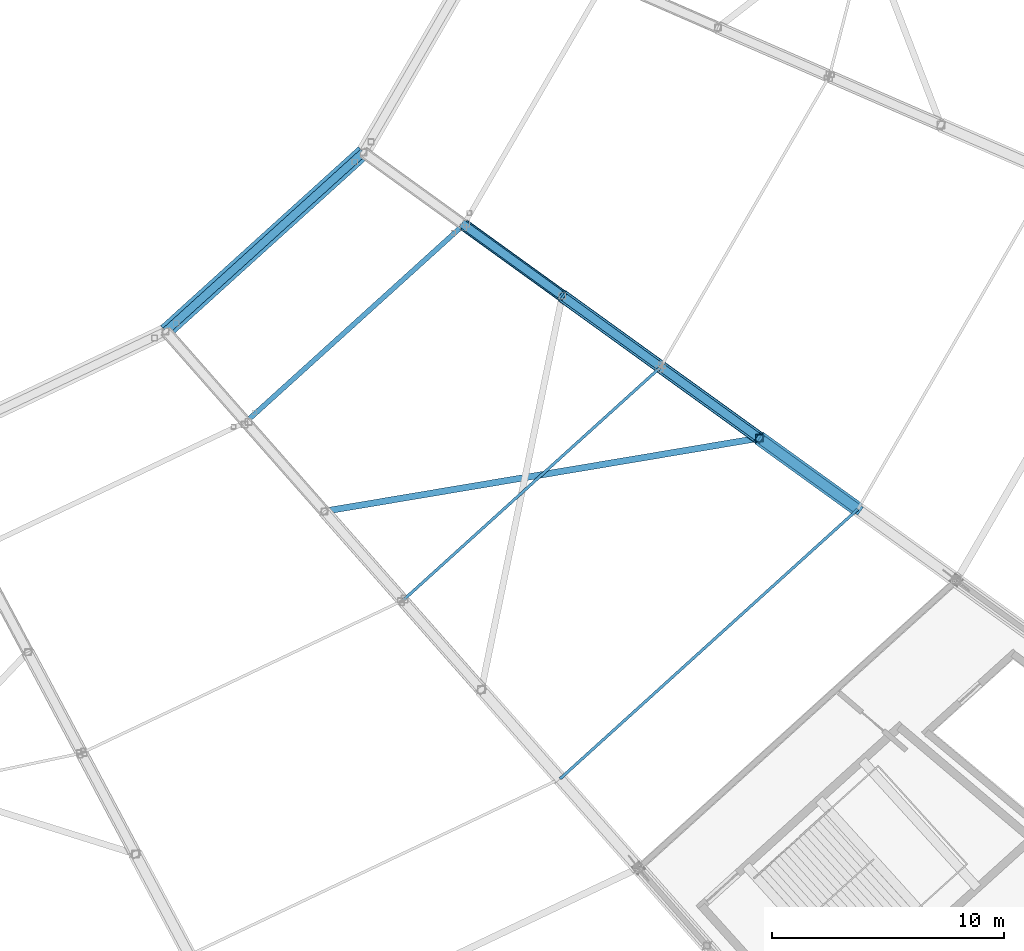
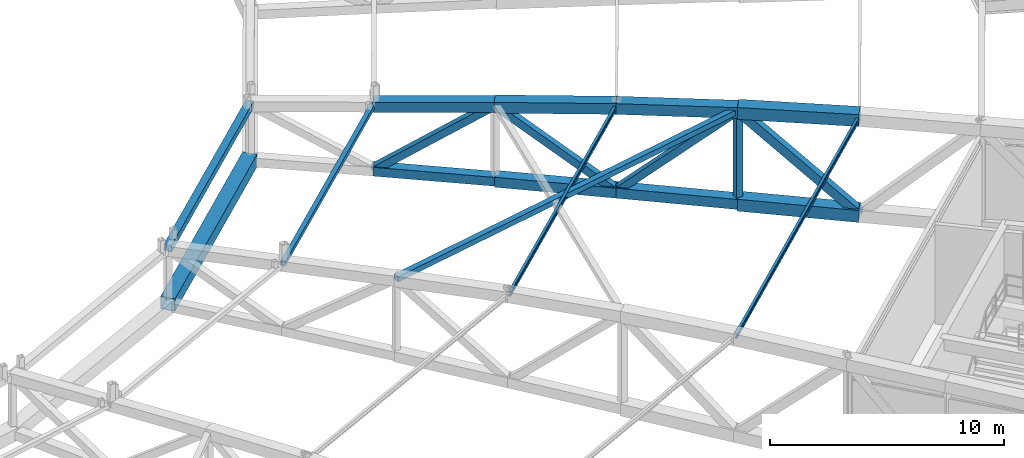
# One storey, part 51 of 162: 19 members.
"""IFC4 building model written with IfcOpenShell, lengths in metres."""

from ifc_helpers import new_model, si_unit, direction, frame, origin, origin_2d, place, context, subcontext, project, spatial, hollow_rectangle, i_section, extrude, material, material_profile, profile_set, type_object, element, save


model = new_model("IFC4")

# Units and contexts
model_context = context("Model", 3, precision=1e-05, world=origin(), true_north=direction((0.0, 1.0)))
body_context = subcontext(model_context, "Body", "Model", "MODEL_VIEW")
ifc_project = project(units=[si_unit("LENGTHUNIT", "METRE"), si_unit("AREAUNIT", "SQUARE_METRE"), si_unit("VOLUMEUNIT", "CUBIC_METRE"), si_unit("PLANEANGLEUNIT", "RADIAN"), si_unit("MASSUNIT", "GRAM", prefix="KILO")], contexts=[model_context])

# Site, building, storey
site_placement = place(None, origin())
site = spatial("IfcSite", under=ifc_project, at=site_placement, CompositionType="ELEMENT")
building_placement = place(site_placement, origin())
building = spatial("IfcBuilding", under=site, at=building_placement, Name="Kazemori Nagisa Stadium", CompositionType="ELEMENT")
storey_placement = place(building_placement, frame((0.0, 0.0, 36.719970703125)))
storey = spatial("IfcBuildingStorey", under=building, at=storey_placement, Name="RF", CompositionType="ELEMENT", Elevation=36.719970703125)

# Members
ifc_material_1 = material(Name="Steel STKR490", Category="steel")
ifc_material_profile_1 = material_profile(ifc_material_1, hollow_rectangle(XDim=0.280029296875, YDim=0.280029296875, WallThickness=0.010009765625, at=origin_2d()), Name="SHS-280x280x10")
ifc_profile_set_1 = profile_set([ifc_material_profile_1], Name="Steel STKR490")
member_type_1 = type_object("IfcMemberType", Name="Member_TB-SHS280", PredefinedType="BRACE", material=ifc_profile_set_1)
member_1_placement = place(storey_placement, frame((182.028564453125, 59.385986328125, 5.699951171875), z_axis=(-0.985974306151, -0.165840314947, -0.01875253445), x_axis=(0.165869482139, -0.986147714541, 0.0)))
element("IfcMember", 1, at=member_1_placement, inside=storey, type_object=member_type_1, Name="Roof space truss plan brace B25-2", PredefinedType="BRACE", context=body_context, shape_type="SweptSolid", body=[
    extrude(hollow_rectangle(XDim=0.280029296875, YDim=0.280029296875, WallThickness=0.010009765625, at=origin_2d()), origin(), (0.0, 0.0, 1.0), 18.981689453125),
])
ifc_material_profile_2 = material_profile(ifc_material_1, hollow_rectangle(XDim=0.360107421875, YDim=0.360107421875, WallThickness=0.013916015625, at=origin_2d()), Name="SHS-360x360x14")
ifc_profile_set_2 = profile_set([ifc_material_profile_2], Name="Steel STKR490")
member_type_2 = type_object("IfcMemberType", Name="Member_TB-SHS360", PredefinedType="BRACE", material=ifc_profile_set_2)
member_2_placement = place(storey_placement, frame((182.028564453125, 59.385986328125, 5.699951171875), z_axis=(-0.610155145397, 0.440484079738, -0.65854724511), x_axis=(-0.585330267791, -0.810794966442, 0.0)))
element("IfcMember", 2, at=member_2_placement, inside=storey, type_object=member_type_2, Name="Roof space truss diagonal RT-26-6", PredefinedType="BRACE", context=body_context, shape_type="SweptSolid", body=[
    extrude(hollow_rectangle(XDim=0.360107421875, YDim=0.360107421875, WallThickness=0.013916015625, at=origin_2d()), origin(), (0.0, 0.0, 1.0), 6.947021484375),
])
member_3_placement = place(storey_placement, frame((177.789794921875, 62.446044921875, 1.125), z_axis=(-0.637527526217, 0.46024478825, 0.61784576409), x_axis=(-0.585330267791, -0.810794966442, 0.0)))
element("IfcMember", 3, at=member_3_placement, inside=storey, type_object=member_type_2, Name="Roof space truss diagonal RT-26-7", PredefinedType="BRACE", context=body_context, shape_type="SweptSolid", body=[
    extrude(hollow_rectangle(XDim=0.360107421875, YDim=0.360107421875, WallThickness=0.013916015625, at=origin_2d()), origin(), (0.0, 0.0, 1.0), 6.648681640625),
])
member_4_placement = place(storey_placement, frame((173.551025390625, 65.506103515625, 5.23291015625), z_axis=(-0.658902408191, 0.475675773774, -0.582735081083), x_axis=(-0.585330267791, -0.810794966442, 0.0)))
element("IfcMember", 4, at=member_4_placement, inside=storey, type_object=member_type_2, Name="Roof space truss diagonal RT-26-8", PredefinedType="BRACE", context=body_context, shape_type="SweptSolid", body=[
    extrude(hollow_rectangle(XDim=0.360107421875, YDim=0.360107421875, WallThickness=0.013916015625, at=origin_2d()), origin(), (0.0, 0.0, 1.0), 6.43310546875),
])
ifc_material_profile_3 = material_profile(ifc_material_1, hollow_rectangle(XDim=0.419921875, YDim=0.419921875, WallThickness=0.01611328125, at=origin_2d()), Name="SHS-420x420x16")
ifc_profile_set_3 = profile_set([ifc_material_profile_3], Name="Steel STKR490")
member_type_3 = type_object("IfcMemberType", Name="Member_TB-SHS420", PredefinedType="BRACE", material=ifc_profile_set_3)
member_5_placement = place(storey_placement, frame((186.267333984375, 56.325927734375, 0.68212890625), z_axis=(-0.584951926834, 0.42228933596, 0.692461522417), x_axis=(-0.585330267791, -0.810794966442, 0.0)))
element("IfcMember", 5, at=member_5_placement, inside=storey, type_object=member_type_3, Name="Roof space truss diagonal RT-26-5", PredefinedType="BRACE", context=body_context, shape_type="SweptSolid", body=[
    extrude(hollow_rectangle(XDim=0.419921875, YDim=0.419921875, WallThickness=0.01611328125, at=origin_2d()), origin(), (0.0, 0.0, 1.0), 7.246337890625),
])
ifc_material_profile_4 = material_profile(ifc_material_1, hollow_rectangle(XDim=0.35009765625, YDim=0.35009765625, WallThickness=0.01611328125, at=origin_2d()), Name="SHS-350x350x16")
ifc_profile_set_4 = profile_set([ifc_material_profile_4], Name="Steel STKR490")
member_type_4 = type_object("IfcMemberType", Name="Member_TC-SHS350", PredefinedType="CHORD", material=ifc_profile_set_4)
member_6_placement = place(storey_placement, frame((156.489990234375, 63.9833984375, 4.60595703125), z_axis=(0.74132179778, 0.671098703579, -0.008277813225), x_axis=(-0.671121697338, 0.741347197582, 0.0)))
element("IfcMember", 6, at=member_6_placement, inside=storey, type_object=member_type_4, Name="Roof tension ring beam upper TR-25", PredefinedType="CHORD", context=body_context, shape_type="SweptSolid", body=[
    extrude(hollow_rectangle(XDim=0.35009765625, YDim=0.35009765625, WallThickness=0.01611328125, at=origin_2d()), origin(), (0.0, 0.0, 1.0), 11.472900390625),
])
ifc_material_profile_5 = material_profile(ifc_material_1, hollow_rectangle(XDim=0.4599609375, YDim=0.4599609375, WallThickness=0.01611328125, at=origin_2d()), Name="SHS-460x460x16")
ifc_profile_set_5 = profile_set([ifc_material_profile_5], Name="Steel STKR490")
member_type_5 = type_object("IfcMemberType", Name="Member_TC-SHS460", PredefinedType="CHORD", material=ifc_profile_set_5)
member_7_placement = place(storey_placement, frame((173.551025390625, 65.506103515625, 1.3271484375), z_axis=(-0.810429681299, 0.585066560615, 0.030014185294), x_axis=(-0.585330267791, -0.810794966442, 0.0)))
element("IfcMember", 7, at=member_7_placement, inside=storey, type_object=member_type_5, Name="Roof space truss bottom chord RT-26-8", PredefinedType="CHORD", context=body_context, shape_type="SweptSolid", body=[
    extrude(hollow_rectangle(XDim=0.4599609375, YDim=0.4599609375, WallThickness=0.01611328125, at=origin_2d()), origin(), (0.0, 0.0, 1.0), 5.230224609375),
])
ifc_material_profile_6 = material_profile(ifc_material_1, hollow_rectangle(XDim=0.52001953125, YDim=0.52001953125, WallThickness=0.01904296875, at=origin_2d()), Name="SHS-520x520x19")
ifc_profile_set_6 = profile_set([ifc_material_profile_6], Name="Steel STKR490")
member_type_6 = type_object("IfcMemberType", Name="Member_TC-SHS520", PredefinedType="CHORD", material=ifc_profile_set_6)
member_8_placement = place(storey_placement, frame((182.028564453125, 59.385986328125, 0.904052734375), z_axis=(-0.810071831283, 0.584808221017, 0.042225262488), x_axis=(-0.585330267791, -0.810794966442, 0.0)))
element("IfcMember", 8, at=member_8_placement, inside=storey, type_object=member_type_6, Name="Roof space truss bottom chord RT-26-6", PredefinedType="CHORD", context=body_context, shape_type="SweptSolid", body=[
    extrude(hollow_rectangle(XDim=0.52001953125, YDim=0.52001953125, WallThickness=0.01904296875, at=origin_2d()), origin(), (0.0, 0.0, 1.0), 5.232666015625),
])
member_9_placement = place(storey_placement, frame((177.789794921875, 62.446044921875, 1.125), z_axis=(-0.81018951734, 0.584893181105, 0.038638228335), x_axis=(-0.585330267791, -0.810794966442, 0.0)))
element("IfcMember", 9, at=member_9_placement, inside=storey, type_object=member_type_6, Name="Roof space truss bottom chord RT-26-7", PredefinedType="CHORD", context=body_context, shape_type="SweptSolid", body=[
    extrude(hollow_rectangle(XDim=0.52001953125, YDim=0.52001953125, WallThickness=0.01904296875, at=origin_2d()), origin(), (0.0, 0.0, 1.0), 5.23193359375),
])
member_10_placement = place(storey_placement, frame((173.551025390625, 65.506103515625, 5.23291015625), z_axis=(-0.808870527462, 0.583940974036, -0.068857887316), x_axis=(-0.585330267791, -0.810794966442, 0.0)))
element("IfcMember", 10, at=member_10_placement, inside=storey, type_object=member_type_6, Name="Roof space truss top chord RT-26-8", PredefinedType="CHORD", context=body_context, shape_type="SweptSolid", body=[
    extrude(hollow_rectangle(XDim=0.52001953125, YDim=0.52001953125, WallThickness=0.01904296875, at=origin_2d()), origin(), (0.0, 0.0, 1.0), 5.240234375),
])
ifc_material_profile_7 = material_profile(ifc_material_1, hollow_rectangle(XDim=0.56005859375, YDim=0.56005859375, WallThickness=0.02001953125, at=origin_2d()), Name="SHS-560x560x20")
ifc_profile_set_7 = profile_set([ifc_material_profile_7], Name="Steel STKR490")
member_type_7 = type_object("IfcMemberType", Name="Member_TC-SHS560", PredefinedType="CHORD", material=ifc_profile_set_7)
member_11_placement = place(storey_placement, frame((182.028564453125, 59.385986328125, 5.699951171875), z_axis=(-0.81040662067, 0.585049912653, -0.030946871876), x_axis=(-0.585330267791, -0.810794966442, 0.0)))
element("IfcMember", 11, at=member_11_placement, inside=storey, type_object=member_type_7, Name="Roof space truss top chord RT-26-6", PredefinedType="CHORD", context=body_context, shape_type="SweptSolid", body=[
    extrude(hollow_rectangle(XDim=0.56005859375, YDim=0.56005859375, WallThickness=0.02001953125, at=origin_2d()), origin(), (0.0, 0.0, 1.0), 5.23046875),
])
member_12_placement = place(storey_placement, frame((177.789794921875, 62.446044921875, 5.5380859375), z_axis=(-0.809417073496, 0.584335537335, -0.058275045609), x_axis=(-0.585330267791, -0.810794966442, 0.0)))
element("IfcMember", 12, at=member_12_placement, inside=storey, type_object=member_type_7, Name="Roof space truss top chord RT-26-7", PredefinedType="CHORD", context=body_context, shape_type="SweptSolid", body=[
    extrude(hollow_rectangle(XDim=0.56005859375, YDim=0.56005859375, WallThickness=0.02001953125, at=origin_2d()), origin(), (0.0, 0.0, 1.0), 5.23681640625),
])
ifc_material_profile_8 = material_profile(ifc_material_1, hollow_rectangle(XDim=0.6201171875, YDim=0.6201171875, WallThickness=0.02197265625, at=origin_2d()), Name="SHS-620x620x22")
ifc_profile_set_8 = profile_set([ifc_material_profile_8], Name="Steel STKR490")
member_type_8 = type_object("IfcMemberType", Name="Member_TC-SHS620", PredefinedType="CHORD", material=ifc_profile_set_8)
member_13_placement = place(storey_placement, frame((186.267333984375, 56.325927734375, 5.695068359375), z_axis=(-0.810794612801, 0.585330012489, 0.000933987574), x_axis=(-0.585330267791, -0.810794966442, 0.0)))
element("IfcMember", 13, at=member_13_placement, inside=storey, type_object=member_type_8, Name="Roof space truss top chord RT-26-5", PredefinedType="CHORD", context=body_context, shape_type="SweptSolid", body=[
    extrude(hollow_rectangle(XDim=0.6201171875, YDim=0.6201171875, WallThickness=0.02197265625, at=origin_2d()), origin(), (0.0, 0.0, 1.0), 5.22802734375),
])
member_14_placement = place(storey_placement, frame((186.267333984375, 56.325927734375, 0.68212890625), z_axis=(-0.810065433445, 0.584803602281, 0.042411558519), x_axis=(-0.585330267791, -0.810794966442, 0.0)))
element("IfcMember", 14, at=member_14_placement, inside=storey, type_object=member_type_8, Name="Roof space truss bottom chord RT-26-5", PredefinedType="CHORD", context=body_context, shape_type="SweptSolid", body=[
    extrude(hollow_rectangle(XDim=0.6201171875, YDim=0.6201171875, WallThickness=0.02197265625, at=origin_2d()), origin(), (0.0, 0.0, 1.0), 5.232666015625),
])
ifc_material_profile_9 = material_profile(ifc_material_1, hollow_rectangle(XDim=0.64990234375, YDim=0.64990234375, WallThickness=0.02490234375, at=origin_2d()), Name="SHS-650x650x25")
ifc_profile_set_9 = profile_set([ifc_material_profile_9], Name="Steel STKR490")
member_type_9 = type_object("IfcMemberType", Name="Member_TC-SHS650", PredefinedType="CHORD", material=ifc_profile_set_9)
member_15_placement = place(storey_placement, frame((156.489990234375, 63.9833984375, 1.68701171875), z_axis=(0.741325924287, 0.671102439195, -0.007575624452), x_axis=(-0.671121697338, 0.741347197582, 0.0)))
element("IfcMember", 15, at=member_15_placement, inside=storey, type_object=member_type_9, Name="Roof tension ring beam lower TR-25", PredefinedType="CHORD", context=body_context, shape_type="SweptSolid", body=[
    extrude(hollow_rectangle(XDim=0.64990234375, YDim=0.64990234375, WallThickness=0.02490234375, at=origin_2d()), origin(), (0.0, 0.0, 1.0), 11.472900390625),
])
ifc_material_2 = material(Name="Steel SN490B", Category="steel")
ifc_material_profile_10 = material_profile(ifc_material_2, i_section(OverallWidth=0.125, OverallDepth=0.25, WebThickness=0.006103515625, FlangeThickness=0.009033203125, FilletRadius=0.008056640625, at=origin_2d()), Name="H-250x125x6x9")
ifc_profile_set_10 = profile_set([ifc_material_profile_10], Name="Steel SN490B")
member_type_10 = type_object("IfcMemberType", Name="Member_TP-H250", PredefinedType="PURLIN", material=ifc_profile_set_10)
member_16_placement = place(storey_placement, frame((173.453857421875, 44.7265625, 5.742919921875), z_axis=(0.741353878391, 0.671108606742, -0.002768564899), x_axis=(-0.671111178764, 0.741356719628, 0.0)))
element("IfcMember", 16, at=member_16_placement, inside=storey, type_object=member_type_10, Name="Roof purlin TP-H250 B25-P4", PredefinedType="PURLIN", context=body_context, shape_type="SweptSolid", body=[
    extrude(i_section(OverallWidth=0.125, OverallDepth=0.25, WebThickness=0.006103515625, FlangeThickness=0.009033203125, FilletRadius=0.008056640625, at=origin_2d()), origin(), (0.0, 0.0, 1.0), 17.283935546875),
])
member_17_placement = place(storey_placement, frame((166.693359375, 52.40087890625, 5.653076171875), z_axis=(0.741329938556, 0.671096792632, -0.00768226004), x_axis=(-0.671116596608, 0.741351815103, 0.0)))
element("IfcMember", 17, at=member_17_placement, inside=storey, type_object=member_type_10, Name="Roof purlin TP-H250 B25-P6", PredefinedType="PURLIN", context=body_context, shape_type="SweptSolid", body=[
    extrude(i_section(OverallWidth=0.125, OverallDepth=0.25, WebThickness=0.006103515625, FlangeThickness=0.009033203125, FilletRadius=0.008056640625, at=origin_2d()), origin(), (0.0, 0.0, 1.0), 14.96826171875),
])
ifc_material_profile_11 = material_profile(ifc_material_1, hollow_rectangle(XDim=0.219970703125, YDim=0.219970703125, WallThickness=0.009033203125, at=origin_2d()), Name="SHS-220x220x9")
ifc_profile_set_11 = profile_set([ifc_material_profile_11], Name="Steel STKR490")
member_type_11 = type_object("IfcMemberType", Name="Member_TP-SHS220", PredefinedType="PURLIN", material=ifc_profile_set_11)
member_18_placement = place(storey_placement, frame((159.932861328125, 60.0751953125, 4.97509765625), z_axis=(0.741320535874, 0.671101747024, -0.008142986781), x_axis=(-0.671123997916, 0.741345114924, 0.0)))
element("IfcMember", 18, at=member_18_placement, inside=storey, type_object=member_type_11, Name="Roof purlin TP-SHS220 B25-P8", PredefinedType="PURLIN", context=body_context, shape_type="SweptSolid", body=[
    extrude(hollow_rectangle(XDim=0.219970703125, YDim=0.219970703125, WallThickness=0.009033203125, at=origin_2d()), origin(), (0.0, 0.0, 1.0), 12.65234375),
])
ifc_material_profile_12 = material_profile(ifc_material_1, hollow_rectangle(XDim=0.320068359375, YDim=0.320068359375, WallThickness=0.011962890625, at=origin_2d()), Name="SHS-320x320x12")
ifc_profile_set_12 = profile_set([ifc_material_profile_12], Name="Steel STKR490")
member_type_12 = type_object("IfcMemberType", Name="Member_TS-SHS320", PredefinedType="STRUT", material=ifc_profile_set_12)
member_19_placement = place(storey_placement, frame((182.028564453125, 59.385986328125, 0.904052734375), z_axis=(0.0, 0.0, 1.0), x_axis=(1.0, 0.0, 0.0)))
element("IfcMember", 19, at=member_19_placement, inside=storey, type_object=member_type_12, Name="Roof space truss strut RT-26-6", PredefinedType="STRUT", context=body_context, shape_type="SweptSolid", body=[
    extrude(hollow_rectangle(XDim=0.320068359375, YDim=0.320068359375, WallThickness=0.011962890625, at=origin_2d()), origin(), (0.0, 0.0, 1.0), 4.7958984375),
])

save(model, "model.ifc")
